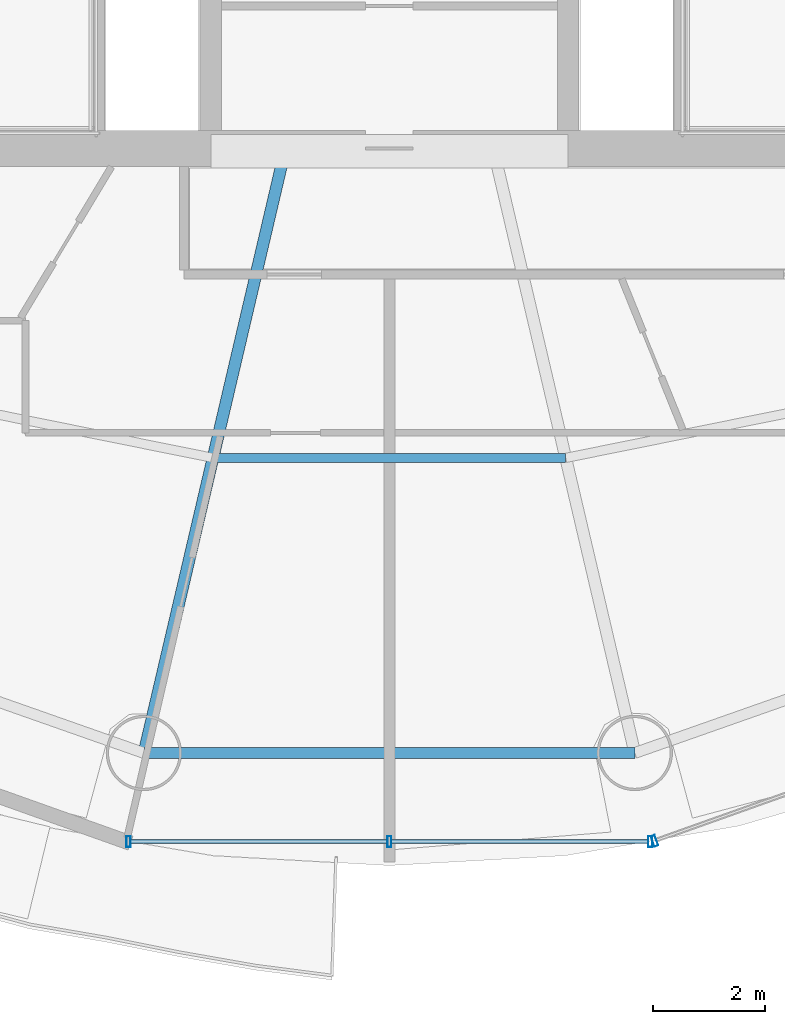
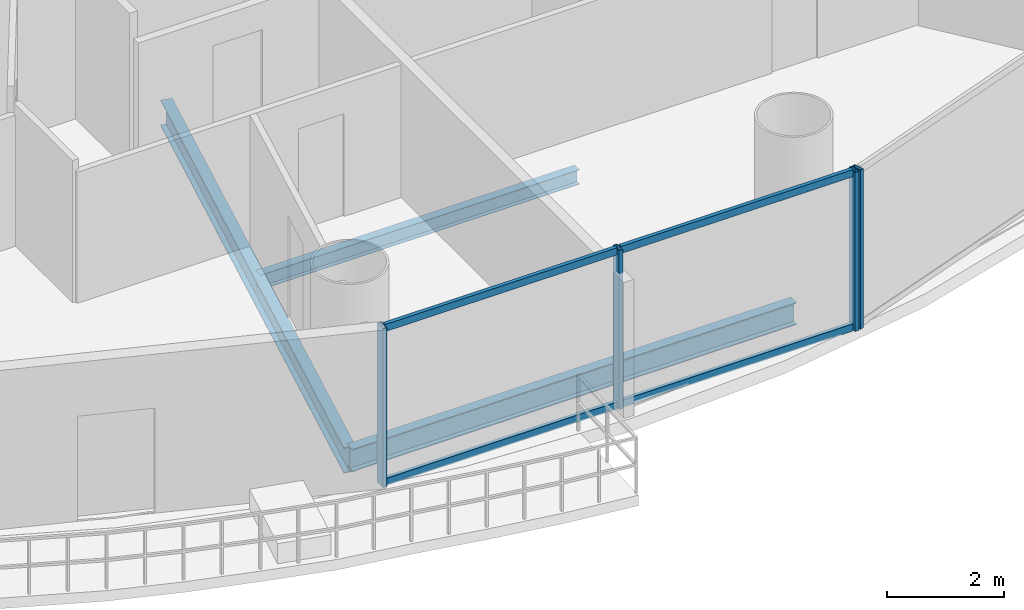
# One storey, part 5 of 27: 8 members, 3 beams, 2 elements without a shape of their own.
"""IFC4 building model written with IfcOpenShell, lengths in metres."""

from ifc_helpers import new_model, si_unit, direction, frame, origin, origin_2d, place, context, subcontext, project, spatial, hollow_rectangle, i_section, extrude, source, transform, mapped, material, material_profile, profile_set, type_object, element, aggregate, save


model = new_model("IFC4")

# Units and contexts
model_context = context("Model", 3, precision=1e-05, world=origin(), true_north=direction((-0.2419218956, 0.970295726276)))
body_context = subcontext(model_context, "Body", "Model", "MODEL_VIEW")
ifc_project = project(units=[si_unit("LENGTHUNIT", "METRE"), si_unit("AREAUNIT", "SQUARE_METRE"), si_unit("VOLUMEUNIT", "CUBIC_METRE"), si_unit("PLANEANGLEUNIT", "RADIAN"), si_unit("MASSUNIT", "GRAM", prefix="KILO")], contexts=[model_context])

# Site, building, storey
site_placement = place(None, origin())
site = spatial("IfcSite", under=ifc_project, at=site_placement, CompositionType="ELEMENT")
building_placement = place(site_placement, origin())
building = spatial("IfcBuilding", under=site, at=building_placement, Name="Cobrevalo Terracotta Tower", CompositionType="ELEMENT")
storey_placement = place(building_placement, frame((0.0, 0.0, 157.0)))
storey = spatial("IfcBuildingStorey", under=building, at=storey_placement, Name="L41", CompositionType="ELEMENT", Elevation=157.0)

# Beams
ifc_material_1 = material(Name="Steel S355", Category="steel")
ifc_material_profile_1 = material_profile(ifc_material_1, i_section(OverallWidth=0.2109375, OverallDepth=0.5390625, WebThickness=0.01171875, FlangeThickness=0.018798828125, at=origin_2d()), Name="W 530x109")
ifc_profile_set_1 = profile_set([ifc_material_profile_1], Name="Steel S355")
beam_type_1 = type_object("IfcBeamType", Name="Structural Beam W 530x109 (Steel S355)", PredefinedType="BEAM", material=ifc_profile_set_1)
beam_1_placement = place(storey_placement, frame((33.600830078125, 8.01806640625, -0.53955078125), z_axis=(0.228045854186, 0.973650393308, 0.0), x_axis=(-0.973650393308, 0.228045854186, 0.0)))
element("IfcBeam", 1, at=beam_1_placement, inside=storey, type_object=beam_type_1, Name="L41 radial floor girder 12", PredefinedType="BEAM", context=body_context, shape_type="SweptSolid", body=[
    extrude(i_section(OverallWidth=0.2109375, OverallDepth=0.5390625, WebThickness=0.01171875, FlangeThickness=0.018798828125, at=origin_2d()), origin(), (0.0, 0.0, 1.0), 10.863037109375),
])
ifc_material_profile_2 = material_profile(ifc_material_1, i_section(OverallWidth=0.1650390625, OverallDepth=0.31005859375, WebThickness=0.005859375, FlangeThickness=0.009765625, at=origin_2d()), Name="W 310x38.7")
ifc_profile_set_2 = profile_set([ifc_material_profile_2], Name="Steel S355")
beam_type_2 = type_object("IfcBeamType", Name="Structural Joist W 310x38.7 (Steel S355)", PredefinedType="JOIST", material=ifc_profile_set_2)
beam_2_placement = place(storey_placement, frame((34.83935546875, 13.306396484375, -0.425048828125), z_axis=(1.0, 0.0, 0.0), x_axis=(0.0, 1.0, 0.0)))
element("IfcBeam", 2, at=beam_2_placement, inside=storey, type_object=beam_type_2, Name="L41 circumferential secondary floor joist 12", PredefinedType="JOIST", context=body_context, shape_type="SweptSolid", body=[
    extrude(i_section(OverallWidth=0.1650390625, OverallDepth=0.31005859375, WebThickness=0.005859375, FlangeThickness=0.009765625, at=origin_2d()), origin(), (0.0, 0.0, 1.0), 6.3212890625),
])
ifc_material_profile_3 = material_profile(ifc_material_1, i_section(OverallWidth=0.194091796875, OverallDepth=0.468994140625, WebThickness=0.011474609375, FlangeThickness=0.0205078125, at=origin_2d()), Name="W 460x106")
ifc_profile_set_3 = profile_set([ifc_material_profile_3], Name="Steel S355")
beam_type_3 = type_object("IfcBeamType", Name="Structural Spandrel W 460x106 (Steel S355)", PredefinedType="SPANDREL", material=ifc_profile_set_3)
beam_3_placement = place(storey_placement, frame((33.600830078125, 8.01806640625, -0.50439453125), z_axis=(1.0, 0.0, 0.0), x_axis=(0.0, 1.0, 0.0)))
element("IfcBeam", 3, at=beam_3_placement, inside=storey, type_object=beam_type_3, Name="L41 perimeter ring spandrel 12", PredefinedType="SPANDREL", context=body_context, shape_type="SweptSolid", body=[
    extrude(i_section(OverallWidth=0.194091796875, OverallDepth=0.468994140625, WebThickness=0.011474609375, FlangeThickness=0.0205078125, at=origin_2d()), origin(), (0.0, 0.0, 1.0), 8.79833984375),
])

# Curtain wall, members
ifc_material_2 = material(Name="Anodized aluminium", Category="aluminium")
curtain_wall_type = type_object("IfcCurtainWallType", Name="Mid-tower high-wind unitised curtain wall CW-U2", PredefinedType="NOTDEFINED", material=ifc_material_2)
curtain_wall_1_placement = place(storey_placement, origin())
curtain_wall_1 = element("IfcCurtainWall", 4, at=curtain_wall_1_placement, inside=storey, type_object=curtain_wall_type, Name="L41 curtain wall CW-L41-S12", PredefinedType="NOTDEFINED")
ifc_material_profile_4 = material_profile(ifc_material_2, hollow_rectangle(XDim=0.074951171875, YDim=0.199951171875, WallThickness=0.0048828125, at=origin_2d()), Name="CWM 75x200")
ifc_profile_set_4 = profile_set([ifc_material_profile_4], Name="Anodized aluminium")
member_type_1 = type_object("IfcMemberType", Name="Lower/mid tower unitised mullion 75x200", PredefinedType="MULLION", material=ifc_profile_set_4)
shared_shape_1 = source(origin(), body_context, "Body", "SweptSolid", [
    extrude(hollow_rectangle(XDim=0.074951171875, YDim=0.199951171875, WallThickness=0.0048828125, at=origin_2d()), origin(), (0.0, 0.0, 1.0), 3.330078125),
])
member_1_placement = place(storey_placement, frame((33.32470703125, 6.42919921875, 0.0), z_axis=(0.0, 0.0, 1.0), x_axis=(1.0, 0.0, 0.0)))
member_1 = element("IfcMember", 5, at=member_1_placement, type_object=member_type_1, Name="CW-L41-S12 vertical mullion 01", PredefinedType="MULLION", context=body_context, shape_type="MappedRepresentation", body=[
    mapped(shared_shape_1, transform((0.0, 0.0, 0.0), scale=1.0)),
])
member_2_placement = place(storey_placement, frame((38.0, 6.42919921875, 0.0), z_axis=(0.0, 0.0, 1.0), x_axis=(1.0, 0.0, 0.0)))
member_2 = element("IfcMember", 6, at=member_2_placement, type_object=member_type_1, Name="CW-L41-S12 vertical mullion 02", PredefinedType="MULLION", context=body_context, shape_type="MappedRepresentation", body=[
    mapped(shared_shape_1, transform((0.0, 0.0, 0.0), scale=1.0)),
])
member_3_placement = place(storey_placement, frame((42.67529296875, 6.42919921875, 0.0), z_axis=(0.0, 0.0, 1.0), x_axis=(1.0, 0.0, 0.0)))
member_3 = element("IfcMember", 7, at=member_3_placement, type_object=member_type_1, Name="CW-L41-S12 vertical mullion 03", PredefinedType="MULLION", context=body_context, shape_type="MappedRepresentation", body=[
    mapped(shared_shape_1, transform((0.0, 0.0, 0.0), scale=1.0)),
])

# Curtain wall, member
curtain_wall_2_placement = place(storey_placement, origin())
curtain_wall_2 = element("IfcCurtainWall", 8, at=curtain_wall_2_placement, inside=storey, type_object=curtain_wall_type, Name="L41 curtain wall CW-L41-S13", PredefinedType="NOTDEFINED")
member_4_placement = place(storey_placement, frame((42.7529296875, 6.4423828125, 0.0), z_axis=(0.0, 0.0, 1.0), x_axis=(0.942098428897, 0.335336473217, 0.0)))
member_4 = element("IfcMember", 9, at=member_4_placement, type_object=member_type_1, Name="CW-L41-S13 vertical mullion 01", PredefinedType="MULLION", context=body_context, shape_type="MappedRepresentation", body=[
    mapped(shared_shape_1, transform((0.0, 0.0, 0.0), scale=1.0)),
])
aggregate(curtain_wall_2, [member_4])

# Member
ifc_material_profile_5 = material_profile(ifc_material_2, hollow_rectangle(XDim=0.074951171875, YDim=0.14990234375, WallThickness=0.00439453125, at=origin_2d()), Name="CWT 75x150")
ifc_profile_set_5 = profile_set([ifc_material_profile_5], Name="Anodized aluminium")
member_type_2 = type_object("IfcMemberType", Name="Tower unitised aluminium transom 75x150", PredefinedType="USERDEFINED", material=ifc_profile_set_5)
shared_shape_2 = source(origin(), body_context, "Body", "SweptSolid", [
    extrude(hollow_rectangle(XDim=0.074951171875, YDim=0.14990234375, WallThickness=0.00439453125, at=origin_2d()), origin(), (0.0, 0.0, 1.0), 4.59521484375),
])
member_5_placement = place(storey_placement, frame((33.36474609375, 6.42919921875, 0.050048828125), z_axis=(1.0, 0.0, 0.0), x_axis=(0.0, 1.0, 0.0)))
member_5 = element("IfcMember", 10, at=member_5_placement, type_object=member_type_2, Name="CW-L41-S12 transom B01-T1", ObjectType="TRANSOM", PredefinedType="USERDEFINED", context=body_context, shape_type="MappedRepresentation", body=[
    mapped(shared_shape_2, transform((0.0, 0.0, 0.0), scale=1.0)),
])

member_6_placement = place(storey_placement, frame((33.36474609375, 6.42919921875, 3.280029296875), z_axis=(1.0, 0.0, 0.0), x_axis=(0.0, 1.0, 0.0)))
member_6 = element("IfcMember", 11, at=member_6_placement, type_object=member_type_2, Name="CW-L41-S12 transom B01-T2", ObjectType="TRANSOM", PredefinedType="USERDEFINED", context=body_context, shape_type="MappedRepresentation", body=[
    mapped(shared_shape_2, transform((0.0, 0.0, 0.0), scale=1.0)),
])

member_7_placement = place(storey_placement, frame((38.0400390625, 6.42919921875, 0.050048828125), z_axis=(1.0, 0.0, 0.0), x_axis=(0.0, 1.0, 0.0)))
member_7 = element("IfcMember", 12, at=member_7_placement, type_object=member_type_2, Name="CW-L41-S12 transom B02-T1", ObjectType="TRANSOM", PredefinedType="USERDEFINED", context=body_context, shape_type="MappedRepresentation", body=[
    mapped(shared_shape_2, transform((0.0, 0.0, 0.0), scale=1.0)),
])

member_8_placement = place(storey_placement, frame((38.0400390625, 6.42919921875, 3.280029296875), z_axis=(1.0, 0.0, 0.0), x_axis=(0.0, 1.0, 0.0)))
member_8 = element("IfcMember", 13, at=member_8_placement, type_object=member_type_2, Name="CW-L41-S12 transom B02-T2", ObjectType="TRANSOM", PredefinedType="USERDEFINED", context=body_context, shape_type="MappedRepresentation", body=[
    mapped(shared_shape_2, transform((0.0, 0.0, 0.0), scale=1.0)),
])

aggregate(curtain_wall_1, [member_1, member_2, member_3, member_5, member_6, member_7, member_8])

save(model, "model.ifc")
